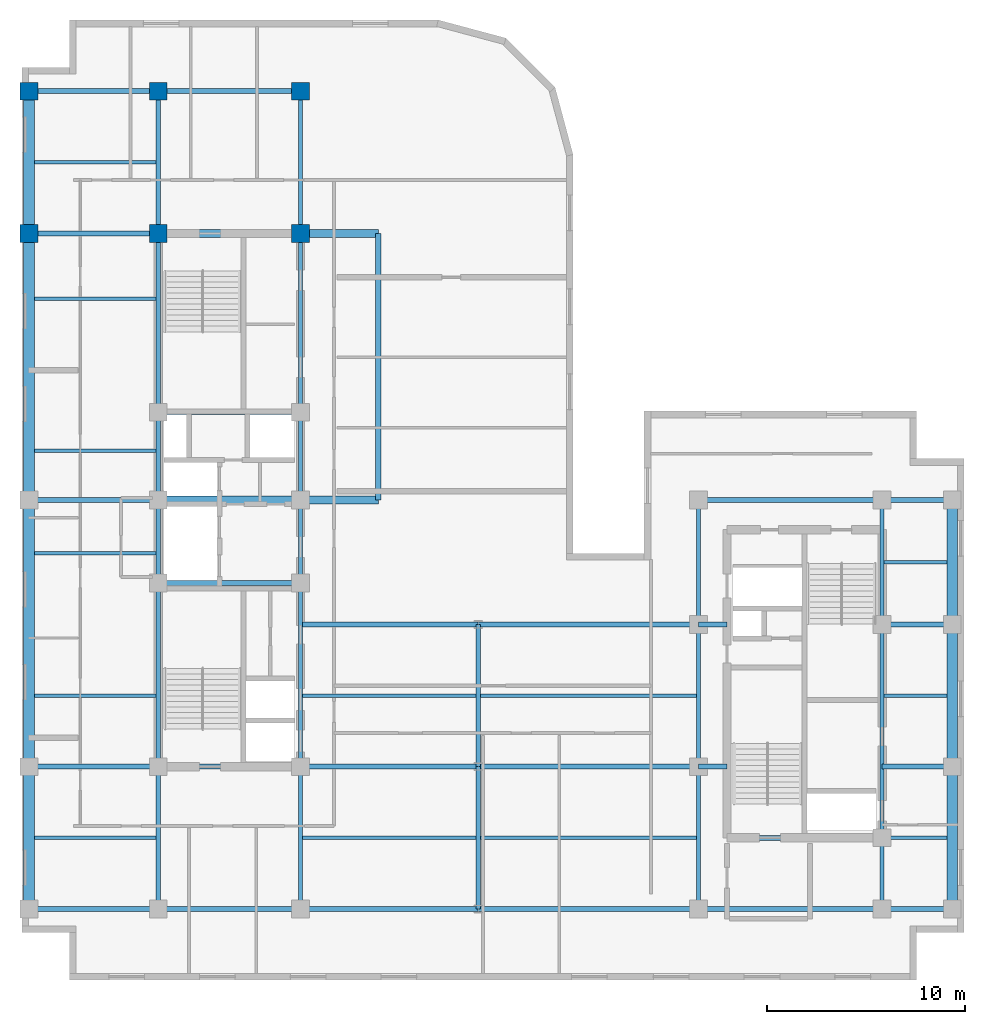
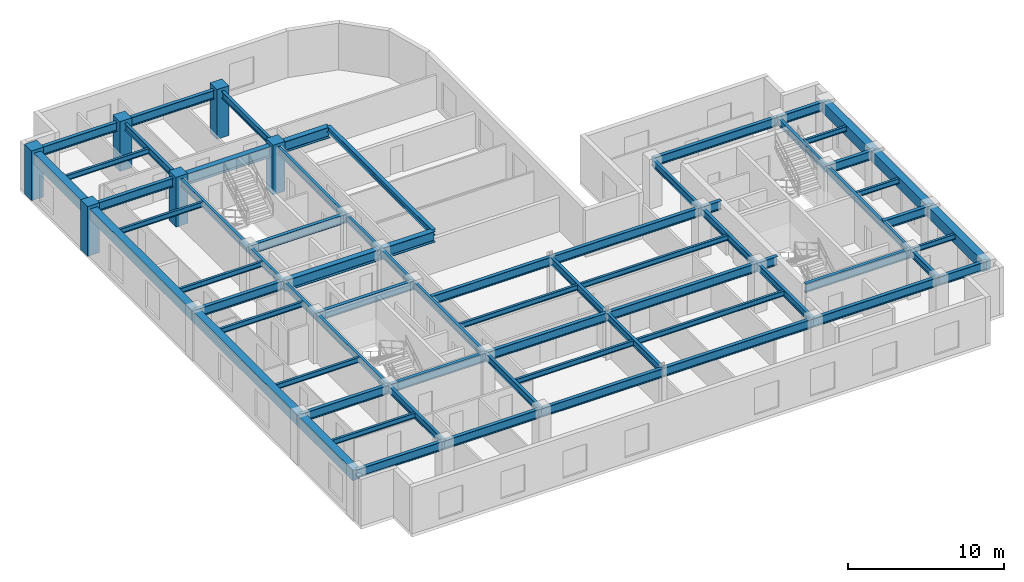
# One storey, part 2 of 10: 68 beams, 6 columns.
"""IFC4 building model written with IfcOpenShell, lengths in metres."""

from ifc_helpers import new_model, entity, si_unit, converted_unit, direction, frame, origin_with_axes, origin_2d_with_axis, place, context, subcontext, project, spatial, rectangle, i_section, extrude, material, material_profile, profile_set, type_object, element, save


model = new_model("IFC4")

# Units and contexts
model_context = context("Model", 3, precision=1e-05, world=origin_with_axes(), true_north=direction((0.0, 1.0)))
body_context = subcontext(model_context, "Body", "Model", "MODEL_VIEW")
ifc_project = project(units=[si_unit("LENGTHUNIT", "METRE"), si_unit("AREAUNIT", "SQUARE_METRE"), si_unit("VOLUMEUNIT", "CUBIC_METRE"), converted_unit("PLANEANGLEUNIT", "DEGREE", entity("IfcPlaneAngleMeasure", 0.017453292519943295), si_unit("PLANEANGLEUNIT", "RADIAN"), dimensions=[0, 0, 0, 0, 0, 0, 0]), si_unit("MASSUNIT", "GRAM", prefix="KILO"), si_unit("THERMODYNAMICTEMPERATUREUNIT", "KELVIN")], contexts=[model_context])

# Site, building, storey
site_placement = place(None, origin_with_axes())
site = spatial("IfcSite", under=ifc_project, at=site_placement, CompositionType="ELEMENT")
building_placement = place(site_placement, origin_with_axes())
building = spatial("IfcBuilding", under=site, at=building_placement, Name="Varnlund Millrace Tower", CompositionType="ELEMENT")
storey_placement = place(building_placement, frame((0.0, 0.0, 236.4), z_axis=(0.0, 0.0, 1.0), x_axis=(1.0, 0.0, 0.0)))
storey = spatial("IfcBuildingStorey", under=building, at=storey_placement, Name="L58", CompositionType="ELEMENT", Elevation=236.4)

# Columns
ifc_material_1 = material(Name="Concrete C70/85", Category="concrete")
ifc_material_profile_1 = material_profile(ifc_material_1, rectangle(XDim=0.9, YDim=0.9, at=origin_2d_with_axis()), Name="Concrete C70/85")
ifc_profile_set_1 = profile_set([ifc_material_profile_1], Name="Concrete C70/85")
column_type = type_object("IfcColumnType", Name="Type-Col-RC900-C70", PredefinedType="COLUMN", material=ifc_profile_set_1)
for number, where, z_axis, x_axis, name in (
    (1, (11.4, 37.8, 0.0), (0.0, 0.0, 1.0), (1.0, 0.0, 0.0), "Type-Col-RC900-C70"),
    (2, (11.4, 45.0, 0.0), (0.0, 0.0, 1.0), (1.0, 0.0, 0.0), "Type-Col-RC900-C70"),
    (3, (18.6, 37.8, 0.0), (0.0, 0.0, 1.0), (1.0, 0.0, 0.0), "Type-Col-RC900-C70"),
    (4, (18.6, 45.0, 0.0), (0.0, 0.0, 1.0), (1.0, 0.0, 0.0), "Type-Col-RC900-C70"),
    (5, (4.85, 37.8, 0.0), (0.0, 0.0, 1.0), (1.0, 0.0, 0.0), "Type-Col-RC900-C70"),
    (6, (4.85, 45.0, 0.0), (0.0, 0.0, 1.0), (1.0, 0.0, 0.0), "Type-Col-RC900-C70"),
):
    element("IfcColumn", number, at=place(storey_placement, frame(where, z_axis=z_axis, x_axis=x_axis)), inside=storey, type_object=column_type, Name=name, PredefinedType="COLUMN", context=body_context, shape_type="SweptSolid", body=[
        extrude(rectangle(XDim=0.9, YDim=0.9, at=origin_2d_with_axis()), origin_with_axes(), (0.0, 0.0, 1.0), 3.9),
    ])

# Beams
ifc_material_2 = material(Name="Steel ASTM A992 Grade 50", Category="steel")
ifc_material_profile_2 = material_profile(ifc_material_2, i_section(OverallWidth=0.28, OverallDepth=0.463, WebThickness=0.0108, FlangeThickness=0.0173, FilletRadius=0.015, at=origin_2d_with_axis()), Name="Steel ASTM A992 Grade 50")
ifc_profile_set_2 = profile_set([ifc_material_profile_2], Name="Steel ASTM A992 Grade 50")
beam_type_1 = type_object("IfcBeamType", Name="Type-Beam-W18X76", PredefinedType="BEAM", material=ifc_profile_set_2)
beam_1_placement = place(storey_placement, frame((22.55, 24.3, 3.4285), z_axis=(0.0, 1.0, 0.0), x_axis=(-1.0, 0.0, 0.0)))
element("IfcBeam", 7, at=beam_1_placement, inside=storey, type_object=beam_type_1, Name="Type-Beam-W18X76", PredefinedType="BEAM", context=body_context, shape_type="SweptSolid", body=[
    extrude(i_section(OverallWidth=0.28, OverallDepth=0.463, WebThickness=0.0108, FlangeThickness=0.0173, FilletRadius=0.015, at=origin_2d_with_axis()), origin_with_axes(), (0.0, 0.0, 1.0), 13.5),
])
ifc_material_profile_3 = material_profile(ifc_material_2, i_section(OverallWidth=0.214, OverallDepth=0.549, WebThickness=0.0147, FlangeThickness=0.0236, FilletRadius=0.015, at=origin_2d_with_axis()), Name="Steel ASTM A992 Grade 50")
ifc_profile_set_3 = profile_set([ifc_material_profile_3], Name="Steel ASTM A992 Grade 50")
beam_type_2 = type_object("IfcBeamType", Name="Type-Beam-W21X93", PredefinedType="BEAM", material=ifc_profile_set_3)
beam_2_placement = place(storey_placement, frame((11.4, 3.6, 3.3855), z_axis=(0.0, 1.0, 0.0), x_axis=(-1.0, 0.0, 0.0)))
element("IfcBeam", 8, at=beam_2_placement, inside=storey, type_object=beam_type_2, Name="Type-Beam-W21X93", PredefinedType="BEAM", context=body_context, shape_type="SweptSolid", body=[
    extrude(i_section(OverallWidth=0.214, OverallDepth=0.549, WebThickness=0.0147, FlangeThickness=0.0236, FilletRadius=0.015, at=origin_2d_with_axis()), origin_with_axes(), (0.0, 0.0, 1.0), 7.2),
])
beam_3_placement = place(storey_placement, frame((11.4, 10.8, 3.3855), z_axis=(0.0, 1.0, 0.0), x_axis=(-1.0, 0.0, 0.0)))
element("IfcBeam", 9, at=beam_3_placement, inside=storey, type_object=beam_type_2, Name="Type-Beam-W21X93", PredefinedType="BEAM", context=body_context, shape_type="SweptSolid", body=[
    extrude(i_section(OverallWidth=0.214, OverallDepth=0.549, WebThickness=0.0147, FlangeThickness=0.0236, FilletRadius=0.015, at=origin_2d_with_axis()), origin_with_axes(), (0.0, 0.0, 1.0), 9.3),
])
beam_4_placement = place(storey_placement, frame((11.4, 20.1, 3.3855), z_axis=(0.0, 1.0, 0.0), x_axis=(-1.0, 0.0, 0.0)))
element("IfcBeam", 10, at=beam_4_placement, inside=storey, type_object=beam_type_2, Name="Type-Beam-W21X93", PredefinedType="BEAM", context=body_context, shape_type="SweptSolid", body=[
    extrude(i_section(OverallWidth=0.214, OverallDepth=0.549, WebThickness=0.0147, FlangeThickness=0.0236, FilletRadius=0.015, at=origin_2d_with_axis()), origin_with_axes(), (0.0, 0.0, 1.0), 4.2),
])
beam_5_placement = place(storey_placement, frame((11.4, 24.3, 3.3855), z_axis=(0.0, 1.0, 0.0), x_axis=(-1.0, 0.0, 0.0)))
element("IfcBeam", 11, at=beam_5_placement, inside=storey, type_object=beam_type_2, Name="Type-Beam-W21X93", PredefinedType="BEAM", context=body_context, shape_type="SweptSolid", body=[
    extrude(i_section(OverallWidth=0.214, OverallDepth=0.549, WebThickness=0.0147, FlangeThickness=0.0236, FilletRadius=0.015, at=origin_2d_with_axis()), origin_with_axes(), (0.0, 0.0, 1.0), 4.45),
])
beam_6_placement = place(storey_placement, frame((11.4, 28.75, 3.3855), z_axis=(0.0, 1.0, 0.0), x_axis=(-1.0, 0.0, 0.0)))
element("IfcBeam", 12, at=beam_6_placement, inside=storey, type_object=beam_type_2, Name="Type-Beam-W21X93", PredefinedType="BEAM", context=body_context, shape_type="SweptSolid", body=[
    extrude(i_section(OverallWidth=0.214, OverallDepth=0.549, WebThickness=0.0147, FlangeThickness=0.0236, FilletRadius=0.015, at=origin_2d_with_axis()), origin_with_axes(), (0.0, 0.0, 1.0), 9.05),
])
for number, where, z_axis, x_axis, name in (
    (13, (11.4, 37.8, 3.3855), (0.0, 1.0, 0.0), (-1.0, 0.0, 0.0), "Type-Beam-W21X93"),
    (14, (18.6, 3.6, 3.3855), (0.0, 1.0, 0.0), (-1.0, 0.0, 0.0), "Type-Beam-W21X93"),
):
    element("IfcBeam", number, at=place(storey_placement, frame(where, z_axis=z_axis, x_axis=x_axis)), inside=storey, type_object=beam_type_2, Name=name, PredefinedType="BEAM", context=body_context, shape_type="SweptSolid", body=[
        extrude(i_section(OverallWidth=0.214, OverallDepth=0.549, WebThickness=0.0147, FlangeThickness=0.0236, FilletRadius=0.015, at=origin_2d_with_axis()), origin_with_axes(), (0.0, 0.0, 1.0), 7.2),
    ])
beam_7_placement = place(storey_placement, frame((18.6, 10.8, 3.3855), z_axis=(0.0, 1.0, 0.0), x_axis=(-1.0, 0.0, 0.0)))
element("IfcBeam", 15, at=beam_7_placement, inside=storey, type_object=beam_type_2, Name="Type-Beam-W21X93", PredefinedType="BEAM", context=body_context, shape_type="SweptSolid", body=[
    extrude(i_section(OverallWidth=0.214, OverallDepth=0.549, WebThickness=0.0147, FlangeThickness=0.0236, FilletRadius=0.015, at=origin_2d_with_axis()), origin_with_axes(), (0.0, 0.0, 1.0), 9.3),
])
beam_8_placement = place(storey_placement, frame((18.6, 20.1, 3.3855), z_axis=(0.0, 1.0, 0.0), x_axis=(-1.0, 0.0, 0.0)))
element("IfcBeam", 16, at=beam_8_placement, inside=storey, type_object=beam_type_2, Name="Type-Beam-W21X93", PredefinedType="BEAM", context=body_context, shape_type="SweptSolid", body=[
    extrude(i_section(OverallWidth=0.214, OverallDepth=0.549, WebThickness=0.0147, FlangeThickness=0.0236, FilletRadius=0.015, at=origin_2d_with_axis()), origin_with_axes(), (0.0, 0.0, 1.0), 4.2),
])
beam_9_placement = place(storey_placement, frame((18.6, 24.3, 3.3855), z_axis=(0.0, 1.0, 0.0), x_axis=(-1.0, 0.0, 0.0)))
element("IfcBeam", 17, at=beam_9_placement, inside=storey, type_object=beam_type_2, Name="Type-Beam-W21X93", PredefinedType="BEAM", context=body_context, shape_type="SweptSolid", body=[
    extrude(i_section(OverallWidth=0.214, OverallDepth=0.549, WebThickness=0.0147, FlangeThickness=0.0236, FilletRadius=0.015, at=origin_2d_with_axis()), origin_with_axes(), (0.0, 0.0, 1.0), 4.45),
])
beam_10_placement = place(storey_placement, frame((18.6, 28.75, 3.3855), z_axis=(0.0, 1.0, 0.0), x_axis=(-1.0, 0.0, 0.0)))
element("IfcBeam", 18, at=beam_10_placement, inside=storey, type_object=beam_type_2, Name="Type-Beam-W21X93", PredefinedType="BEAM", context=body_context, shape_type="SweptSolid", body=[
    extrude(i_section(OverallWidth=0.214, OverallDepth=0.549, WebThickness=0.0147, FlangeThickness=0.0236, FilletRadius=0.015, at=origin_2d_with_axis()), origin_with_axes(), (0.0, 0.0, 1.0), 9.05),
])
for number, where, z_axis, x_axis, name in (
    (19, (18.6, 37.8, 3.3855), (0.0, 1.0, 0.0), (-1.0, 0.0, 0.0), "Type-Beam-W21X93"),
    (20, (27.6, 3.6, 3.3855), (0.0, 1.0, 0.0), (-1.0, 0.0, 0.0), "Type-Beam-W21X93"),
    (21, (27.6, 10.8, 3.3855), (0.0, 1.0, 0.0), (-1.0, 0.0, 0.0), "Type-Beam-W21X93"),
    (22, (38.75, 3.6, 3.3855), (0.0, 1.0, 0.0), (-1.0, 0.0, 0.0), "Type-Beam-W21X93"),
    (23, (38.75, 10.8, 3.3855), (0.0, 1.0, 0.0), (-1.0, 0.0, 0.0), "Type-Beam-W21X93"),
):
    element("IfcBeam", number, at=place(storey_placement, frame(where, z_axis=z_axis, x_axis=x_axis)), inside=storey, type_object=beam_type_2, Name=name, PredefinedType="BEAM", context=body_context, shape_type="SweptSolid", body=[
        extrude(i_section(OverallWidth=0.214, OverallDepth=0.549, WebThickness=0.0147, FlangeThickness=0.0236, FilletRadius=0.015, at=origin_2d_with_axis()), origin_with_axes(), (0.0, 0.0, 1.0), 7.2),
    ])
beam_11_placement = place(storey_placement, frame((38.75, 18.0, 3.3855), z_axis=(0.0, 1.0, 0.0), x_axis=(-1.0, 0.0, 0.0)))
element("IfcBeam", 24, at=beam_11_placement, inside=storey, type_object=beam_type_2, Name="Type-Beam-W21X93", PredefinedType="BEAM", context=body_context, shape_type="SweptSolid", body=[
    extrude(i_section(OverallWidth=0.214, OverallDepth=0.549, WebThickness=0.0147, FlangeThickness=0.0236, FilletRadius=0.015, at=origin_2d_with_axis()), origin_with_axes(), (0.0, 0.0, 1.0), 6.3),
])
beam_12_placement = place(storey_placement, frame((48.05, 3.6, 3.3855), z_axis=(0.0, 1.0, 0.0), x_axis=(-1.0, 0.0, 0.0)))
element("IfcBeam", 25, at=beam_12_placement, inside=storey, type_object=beam_type_2, Name="Type-Beam-W21X93", PredefinedType="BEAM", context=body_context, shape_type="SweptSolid", body=[
    extrude(i_section(OverallWidth=0.214, OverallDepth=0.549, WebThickness=0.0147, FlangeThickness=0.0236, FilletRadius=0.015, at=origin_2d_with_axis()), origin_with_axes(), (0.0, 0.0, 1.0), 3.6),
])
beam_13_placement = place(storey_placement, frame((48.05, 7.2, 3.3855), z_axis=(0.0, 1.0, 0.0), x_axis=(-1.0, 0.0, 0.0)))
element("IfcBeam", 26, at=beam_13_placement, inside=storey, type_object=beam_type_2, Name="Type-Beam-W21X93", PredefinedType="BEAM", context=body_context, shape_type="SweptSolid", body=[
    extrude(i_section(OverallWidth=0.214, OverallDepth=0.549, WebThickness=0.0147, FlangeThickness=0.0236, FilletRadius=0.015, at=origin_2d_with_axis()), origin_with_axes(), (0.0, 0.0, 1.0), 10.8),
])
beam_14_placement = place(storey_placement, frame((48.05, 18.0, 3.3855), z_axis=(0.0, 1.0, 0.0), x_axis=(-1.0, 0.0, 0.0)))
element("IfcBeam", 27, at=beam_14_placement, inside=storey, type_object=beam_type_2, Name="Type-Beam-W21X93", PredefinedType="BEAM", context=body_context, shape_type="SweptSolid", body=[
    extrude(i_section(OverallWidth=0.214, OverallDepth=0.549, WebThickness=0.0147, FlangeThickness=0.0236, FilletRadius=0.015, at=origin_2d_with_axis()), origin_with_axes(), (0.0, 0.0, 1.0), 6.3),
])
ifc_material_profile_4 = material_profile(ifc_material_2, i_section(OverallWidth=0.256, OverallDepth=0.693, WebThickness=0.0145, FlangeThickness=0.0236, FilletRadius=0.018, at=origin_2d_with_axis()), Name="Steel ASTM A992 Grade 50")
ifc_profile_set_4 = profile_set([ifc_material_profile_4], Name="Steel ASTM A992 Grade 50")
beam_type_3 = type_object("IfcBeamType", Name="Type-Girder-W27X114", PredefinedType="USERDEFINED", material=ifc_profile_set_4)
beam_15_placement = place(storey_placement, frame((4.85, 3.6, 3.3135), z_axis=(1.0, 0.0, 0.0), x_axis=(0.0, 1.0, 0.0)))
element("IfcBeam", 28, at=beam_15_placement, inside=storey, type_object=beam_type_3, Name="Type-Girder-W27X114", ObjectType="GIRDER", PredefinedType="USERDEFINED", context=body_context, shape_type="SweptSolid", body=[
    extrude(i_section(OverallWidth=0.256, OverallDepth=0.693, WebThickness=0.0145, FlangeThickness=0.0236, FilletRadius=0.018, at=origin_2d_with_axis()), origin_with_axes(), (0.0, 0.0, 1.0), 6.55),
])
beam_16_placement = place(storey_placement, frame((11.4, 3.6, 3.3135), z_axis=(1.0, 0.0, 0.0), x_axis=(0.0, 1.0, 0.0)))
element("IfcBeam", 29, at=beam_16_placement, inside=storey, type_object=beam_type_3, Name="Type-Girder-W27X114", ObjectType="GIRDER", PredefinedType="USERDEFINED", context=body_context, shape_type="SweptSolid", body=[
    extrude(i_section(OverallWidth=0.256, OverallDepth=0.693, WebThickness=0.0145, FlangeThickness=0.0236, FilletRadius=0.018, at=origin_2d_with_axis()), origin_with_axes(), (0.0, 0.0, 1.0), 7.2),
])
beam_17_placement = place(storey_placement, frame((18.6, 3.6, 3.3135), z_axis=(1.0, 0.0, 0.0), x_axis=(0.0, 1.0, 0.0)))
element("IfcBeam", 30, at=beam_17_placement, inside=storey, type_object=beam_type_3, Name="Type-Girder-W27X114", ObjectType="GIRDER", PredefinedType="USERDEFINED", context=body_context, shape_type="SweptSolid", body=[
    extrude(i_section(OverallWidth=0.256, OverallDepth=0.693, WebThickness=0.0145, FlangeThickness=0.0236, FilletRadius=0.018, at=origin_2d_with_axis()), origin_with_axes(), (0.0, 0.0, 1.0), 9.0),
])
beam_18_placement = place(storey_placement, frame((27.6, 3.6, 3.3135), z_axis=(1.0, 0.0, 0.0), x_axis=(0.0, 1.0, 0.0)))
element("IfcBeam", 31, at=beam_18_placement, inside=storey, type_object=beam_type_3, Name="Type-Girder-W27X114", ObjectType="GIRDER", PredefinedType="USERDEFINED", context=body_context, shape_type="SweptSolid", body=[
    extrude(i_section(OverallWidth=0.256, OverallDepth=0.693, WebThickness=0.0145, FlangeThickness=0.0236, FilletRadius=0.018, at=origin_2d_with_axis()), origin_with_axes(), (0.0, 0.0, 1.0), 11.15),
])
beam_19_placement = place(storey_placement, frame((38.75, 3.6, 3.3135), z_axis=(1.0, 0.0, 0.0), x_axis=(0.0, 1.0, 0.0)))
element("IfcBeam", 32, at=beam_19_placement, inside=storey, type_object=beam_type_3, Name="Type-Girder-W27X114", ObjectType="GIRDER", PredefinedType="USERDEFINED", context=body_context, shape_type="SweptSolid", body=[
    extrude(i_section(OverallWidth=0.256, OverallDepth=0.693, WebThickness=0.0145, FlangeThickness=0.0236, FilletRadius=0.018, at=origin_2d_with_axis()), origin_with_axes(), (0.0, 0.0, 1.0), 9.3),
])
beam_20_placement = place(storey_placement, frame((48.05, 3.6, 3.3135), z_axis=(1.0, 0.0, 0.0), x_axis=(0.0, 1.0, 0.0)))
element("IfcBeam", 33, at=beam_20_placement, inside=storey, type_object=beam_type_3, Name="Type-Girder-W27X114", ObjectType="GIRDER", PredefinedType="USERDEFINED", context=body_context, shape_type="SweptSolid", body=[
    extrude(i_section(OverallWidth=0.256, OverallDepth=0.693, WebThickness=0.0145, FlangeThickness=0.0236, FilletRadius=0.018, at=origin_2d_with_axis()), origin_with_axes(), (0.0, 0.0, 1.0), 3.55),
])
beam_21_placement = place(storey_placement, frame((40.2, 7.2, 3.3135), z_axis=(1.0, 0.0, 0.0), x_axis=(0.0, 1.0, 0.0)))
element("IfcBeam", 34, at=beam_21_placement, inside=storey, type_object=beam_type_3, Name="Type-Girder-W27X114", ObjectType="GIRDER", PredefinedType="USERDEFINED", context=body_context, shape_type="SweptSolid", body=[
    extrude(i_section(OverallWidth=0.256, OverallDepth=0.693, WebThickness=0.0145, FlangeThickness=0.0236, FilletRadius=0.018, at=origin_2d_with_axis()), origin_with_axes(), (0.0, 0.0, 1.0), 7.85),
])
beam_22_placement = place(storey_placement, frame((4.85, 10.8, 3.3135), z_axis=(1.0, 0.0, 0.0), x_axis=(0.0, 1.0, 0.0)))
element("IfcBeam", 35, at=beam_22_placement, inside=storey, type_object=beam_type_3, Name="Type-Girder-W27X114", ObjectType="GIRDER", PredefinedType="USERDEFINED", context=body_context, shape_type="SweptSolid", body=[
    extrude(i_section(OverallWidth=0.256, OverallDepth=0.693, WebThickness=0.0145, FlangeThickness=0.0236, FilletRadius=0.018, at=origin_2d_with_axis()), origin_with_axes(), (0.0, 0.0, 1.0), 6.55),
])
beam_23_placement = place(storey_placement, frame((11.4, 10.8, 3.3135), z_axis=(1.0, 0.0, 0.0), x_axis=(0.0, 1.0, 0.0)))
element("IfcBeam", 36, at=beam_23_placement, inside=storey, type_object=beam_type_3, Name="Type-Girder-W27X114", ObjectType="GIRDER", PredefinedType="USERDEFINED", context=body_context, shape_type="SweptSolid", body=[
    extrude(i_section(OverallWidth=0.256, OverallDepth=0.693, WebThickness=0.0145, FlangeThickness=0.0236, FilletRadius=0.018, at=origin_2d_with_axis()), origin_with_axes(), (0.0, 0.0, 1.0), 7.2),
])
beam_24_placement = place(storey_placement, frame((18.6, 10.8, 3.3135), z_axis=(1.0, 0.0, 0.0), x_axis=(0.0, 1.0, 0.0)))
element("IfcBeam", 37, at=beam_24_placement, inside=storey, type_object=beam_type_3, Name="Type-Girder-W27X114", ObjectType="GIRDER", PredefinedType="USERDEFINED", context=body_context, shape_type="SweptSolid", body=[
    extrude(i_section(OverallWidth=0.256, OverallDepth=0.693, WebThickness=0.0145, FlangeThickness=0.0236, FilletRadius=0.018, at=origin_2d_with_axis()), origin_with_axes(), (0.0, 0.0, 1.0), 9.0),
])
beam_25_placement = place(storey_placement, frame((27.6, 10.8, 3.3135), z_axis=(1.0, 0.0, 0.0), x_axis=(0.0, 1.0, 0.0)))
element("IfcBeam", 38, at=beam_25_placement, inside=storey, type_object=beam_type_3, Name="Type-Girder-W27X114", ObjectType="GIRDER", PredefinedType="USERDEFINED", context=body_context, shape_type="SweptSolid", body=[
    extrude(i_section(OverallWidth=0.256, OverallDepth=0.693, WebThickness=0.0145, FlangeThickness=0.0236, FilletRadius=0.018, at=origin_2d_with_axis()), origin_with_axes(), (0.0, 0.0, 1.0), 11.15),
])
beam_26_placement = place(storey_placement, frame((38.75, 10.8, 3.3135), z_axis=(1.0, 0.0, 0.0), x_axis=(0.0, 1.0, 0.0)))
element("IfcBeam", 39, at=beam_26_placement, inside=storey, type_object=beam_type_3, Name="Type-Girder-W27X114", ObjectType="GIRDER", PredefinedType="USERDEFINED", context=body_context, shape_type="SweptSolid", body=[
    extrude(i_section(OverallWidth=0.256, OverallDepth=0.693, WebThickness=0.0145, FlangeThickness=0.0236, FilletRadius=0.018, at=origin_2d_with_axis()), origin_with_axes(), (0.0, 0.0, 1.0), 1.45),
])
beam_27_placement = place(storey_placement, frame((48.05, 10.8, 3.3135), z_axis=(1.0, 0.0, 0.0), x_axis=(0.0, 1.0, 0.0)))
element("IfcBeam", 40, at=beam_27_placement, inside=storey, type_object=beam_type_3, Name="Type-Girder-W27X114", ObjectType="GIRDER", PredefinedType="USERDEFINED", context=body_context, shape_type="SweptSolid", body=[
    extrude(i_section(OverallWidth=0.256, OverallDepth=0.693, WebThickness=0.0145, FlangeThickness=0.0236, FilletRadius=0.018, at=origin_2d_with_axis()), origin_with_axes(), (0.0, 0.0, 1.0), 3.55),
])
beam_28_placement = place(storey_placement, frame((18.6, 18.0, 3.3135), z_axis=(1.0, 0.0, 0.0), x_axis=(0.0, 1.0, 0.0)))
element("IfcBeam", 41, at=beam_28_placement, inside=storey, type_object=beam_type_3, Name="Type-Girder-W27X114", ObjectType="GIRDER", PredefinedType="USERDEFINED", context=body_context, shape_type="SweptSolid", body=[
    extrude(i_section(OverallWidth=0.256, OverallDepth=0.693, WebThickness=0.0145, FlangeThickness=0.0236, FilletRadius=0.018, at=origin_2d_with_axis()), origin_with_axes(), (0.0, 0.0, 1.0), 9.0),
])
beam_29_placement = place(storey_placement, frame((27.6, 18.0, 3.3135), z_axis=(1.0, 0.0, 0.0), x_axis=(0.0, 1.0, 0.0)))
element("IfcBeam", 42, at=beam_29_placement, inside=storey, type_object=beam_type_3, Name="Type-Girder-W27X114", ObjectType="GIRDER", PredefinedType="USERDEFINED", context=body_context, shape_type="SweptSolid", body=[
    extrude(i_section(OverallWidth=0.256, OverallDepth=0.693, WebThickness=0.0145, FlangeThickness=0.0236, FilletRadius=0.018, at=origin_2d_with_axis()), origin_with_axes(), (0.0, 0.0, 1.0), 11.15),
])
beam_30_placement = place(storey_placement, frame((38.75, 18.0, 3.3135), z_axis=(1.0, 0.0, 0.0), x_axis=(0.0, 1.0, 0.0)))
element("IfcBeam", 43, at=beam_30_placement, inside=storey, type_object=beam_type_3, Name="Type-Girder-W27X114", ObjectType="GIRDER", PredefinedType="USERDEFINED", context=body_context, shape_type="SweptSolid", body=[
    extrude(i_section(OverallWidth=0.256, OverallDepth=0.693, WebThickness=0.0145, FlangeThickness=0.0236, FilletRadius=0.018, at=origin_2d_with_axis()), origin_with_axes(), (0.0, 0.0, 1.0), 1.45),
])
beam_31_placement = place(storey_placement, frame((48.05, 18.0, 3.3135), z_axis=(1.0, 0.0, 0.0), x_axis=(0.0, 1.0, 0.0)))
element("IfcBeam", 44, at=beam_31_placement, inside=storey, type_object=beam_type_3, Name="Type-Girder-W27X114", ObjectType="GIRDER", PredefinedType="USERDEFINED", context=body_context, shape_type="SweptSolid", body=[
    extrude(i_section(OverallWidth=0.256, OverallDepth=0.693, WebThickness=0.0145, FlangeThickness=0.0236, FilletRadius=0.018, at=origin_2d_with_axis()), origin_with_axes(), (0.0, 0.0, 1.0), 3.55),
])
beam_32_placement = place(storey_placement, frame((11.4, 20.1, 3.3135), z_axis=(1.0, 0.0, 0.0), x_axis=(0.0, 1.0, 0.0)))
element("IfcBeam", 45, at=beam_32_placement, inside=storey, type_object=beam_type_3, Name="Type-Girder-W27X114", ObjectType="GIRDER", PredefinedType="USERDEFINED", context=body_context, shape_type="SweptSolid", body=[
    extrude(i_section(OverallWidth=0.256, OverallDepth=0.693, WebThickness=0.0145, FlangeThickness=0.0236, FilletRadius=0.018, at=origin_2d_with_axis()), origin_with_axes(), (0.0, 0.0, 1.0), 7.2),
])
beam_33_placement = place(storey_placement, frame((4.85, 24.3, 3.3135), z_axis=(1.0, 0.0, 0.0), x_axis=(0.0, 1.0, 0.0)))
element("IfcBeam", 46, at=beam_33_placement, inside=storey, type_object=beam_type_3, Name="Type-Girder-W27X114", ObjectType="GIRDER", PredefinedType="USERDEFINED", context=body_context, shape_type="SweptSolid", body=[
    extrude(i_section(OverallWidth=0.256, OverallDepth=0.693, WebThickness=0.0145, FlangeThickness=0.0236, FilletRadius=0.018, at=origin_2d_with_axis()), origin_with_axes(), (0.0, 0.0, 1.0), 6.55),
])
beam_34_placement = place(storey_placement, frame((38.75, 24.3, 3.3135), z_axis=(1.0, 0.0, 0.0), x_axis=(0.0, 1.0, 0.0)))
element("IfcBeam", 47, at=beam_34_placement, inside=storey, type_object=beam_type_3, Name="Type-Girder-W27X114", ObjectType="GIRDER", PredefinedType="USERDEFINED", context=body_context, shape_type="SweptSolid", body=[
    extrude(i_section(OverallWidth=0.256, OverallDepth=0.693, WebThickness=0.0145, FlangeThickness=0.0236, FilletRadius=0.018, at=origin_2d_with_axis()), origin_with_axes(), (0.0, 0.0, 1.0), 9.3),
])
beam_35_placement = place(storey_placement, frame((48.05, 24.3, 3.3135), z_axis=(1.0, 0.0, 0.0), x_axis=(0.0, 1.0, 0.0)))
element("IfcBeam", 48, at=beam_35_placement, inside=storey, type_object=beam_type_3, Name="Type-Girder-W27X114", ObjectType="GIRDER", PredefinedType="USERDEFINED", context=body_context, shape_type="SweptSolid", body=[
    extrude(i_section(OverallWidth=0.256, OverallDepth=0.693, WebThickness=0.0145, FlangeThickness=0.0236, FilletRadius=0.018, at=origin_2d_with_axis()), origin_with_axes(), (0.0, 0.0, 1.0), 3.55),
])
beam_36_placement = place(storey_placement, frame((11.4, 28.75, 3.3135), z_axis=(1.0, 0.0, 0.0), x_axis=(0.0, 1.0, 0.0)))
element("IfcBeam", 49, at=beam_36_placement, inside=storey, type_object=beam_type_3, Name="Type-Girder-W27X114", ObjectType="GIRDER", PredefinedType="USERDEFINED", context=body_context, shape_type="SweptSolid", body=[
    extrude(i_section(OverallWidth=0.256, OverallDepth=0.693, WebThickness=0.0145, FlangeThickness=0.0236, FilletRadius=0.018, at=origin_2d_with_axis()), origin_with_axes(), (0.0, 0.0, 1.0), 7.2),
])
for number, where, z_axis, x_axis, name in (
    (50, (4.85, 37.8, 3.3135), (1.0, 0.0, 0.0), (0.0, 1.0, 0.0), "Type-Girder-W27X114"),
    (51, (4.85, 45.0, 3.3135), (1.0, 0.0, 0.0), (0.0, 1.0, 0.0), "Type-Girder-W27X114"),
):
    element("IfcBeam", number, at=place(storey_placement, frame(where, z_axis=z_axis, x_axis=x_axis)), inside=storey, type_object=beam_type_3, Name=name, ObjectType="GIRDER", PredefinedType="USERDEFINED", context=body_context, shape_type="SweptSolid", body=[
        extrude(i_section(OverallWidth=0.256, OverallDepth=0.693, WebThickness=0.0145, FlangeThickness=0.0236, FilletRadius=0.018, at=origin_2d_with_axis()), origin_with_axes(), (0.0, 0.0, 1.0), 6.55),
    ])
beam_37_placement = place(storey_placement, frame((11.4, 45.0, 3.3135), z_axis=(1.0, 0.0, 0.0), x_axis=(0.0, 1.0, 0.0)))
element("IfcBeam", 52, at=beam_37_placement, inside=storey, type_object=beam_type_3, Name="Type-Girder-W27X114", ObjectType="GIRDER", PredefinedType="USERDEFINED", context=body_context, shape_type="SweptSolid", body=[
    extrude(i_section(OverallWidth=0.256, OverallDepth=0.693, WebThickness=0.0145, FlangeThickness=0.0236, FilletRadius=0.018, at=origin_2d_with_axis()), origin_with_axes(), (0.0, 0.0, 1.0), 7.2),
])
ifc_material_profile_5 = material_profile(ifc_material_2, i_section(OverallWidth=0.399, OverallDepth=0.855, WebThickness=0.0182, FlangeThickness=0.0292, FilletRadius=0.022, at=origin_2d_with_axis()), Name="Steel ASTM A992 Grade 50")
ifc_profile_set_5 = profile_set([ifc_material_profile_5], Name="Steel ASTM A992 Grade 50")
beam_type_4 = type_object("IfcBeamType", Name="Type-Girder-W33X201", PredefinedType="USERDEFINED", material=ifc_profile_set_5)
for number, where, z_axis, x_axis, name in (
    (53, (11.4, 24.3, 3.2325), (1.0, 0.0, 0.0), (0.0, 1.0, 0.0), "Type-Girder-W33X201"),
    (54, (11.4, 37.8, 3.2325), (1.0, 0.0, 0.0), (0.0, 1.0, 0.0), "Type-Girder-W33X201"),
):
    element("IfcBeam", number, at=place(storey_placement, frame(where, z_axis=z_axis, x_axis=x_axis)), inside=storey, type_object=beam_type_4, Name=name, ObjectType="GIRDER", PredefinedType="USERDEFINED", context=body_context, shape_type="SweptSolid", body=[
        extrude(i_section(OverallWidth=0.399, OverallDepth=0.855, WebThickness=0.0182, FlangeThickness=0.0292, FilletRadius=0.022, at=origin_2d_with_axis()), origin_with_axes(), (0.0, 0.0, 1.0), 11.15),
    ])
ifc_material_profile_6 = material_profile(ifc_material_2, i_section(OverallWidth=0.178, OverallDepth=0.403, WebThickness=0.0075, FlangeThickness=0.0109, FilletRadius=0.011, at=origin_2d_with_axis()), Name="Steel ASTM A992 Grade 50")
ifc_profile_set_6 = profile_set([ifc_material_profile_6], Name="Steel ASTM A992 Grade 50")
beam_type_5 = type_object("IfcBeamType", Name="Type-Joist-W16X36", PredefinedType="JOIST", material=ifc_profile_set_6)
for number, where, z_axis, x_axis, name in (
    (55, (5.125, 7.2, 3.4585), (1.0, 0.0, 0.0), (0.0, 1.0, 0.0), "Type-Joist-W16X36"),
    (56, (5.125, 14.4, 3.4585), (1.0, 0.0, 0.0), (0.0, 1.0, 0.0), "Type-Joist-W16X36"),
    (57, (5.125, 21.6, 3.4585), (1.0, 0.0, 0.0), (0.0, 1.0, 0.0), "Type-Joist-W16X36"),
    (58, (5.125, 26.8, 3.4585), (1.0, 0.0, 0.0), (0.0, 1.0, 0.0), "Type-Joist-W16X36"),
    (59, (5.125, 34.5, 3.4585), (1.0, 0.0, 0.0), (0.0, 1.0, 0.0), "Type-Joist-W16X36"),
    (60, (5.125, 41.4, 3.4585), (1.0, 0.0, 0.0), (0.0, 1.0, 0.0), "Type-Joist-W16X36"),
):
    element("IfcBeam", number, at=place(storey_placement, frame(where, z_axis=z_axis, x_axis=x_axis)), inside=storey, type_object=beam_type_5, Name=name, PredefinedType="JOIST", context=body_context, shape_type="SweptSolid", body=[
        extrude(i_section(OverallWidth=0.178, OverallDepth=0.403, WebThickness=0.0075, FlangeThickness=0.0109, FilletRadius=0.011, at=origin_2d_with_axis()), origin_with_axes(), (0.0, 0.0, 1.0), 6.168),
    ])
for number, where, z_axis, x_axis, name in (
    (61, (48.157, 7.2, 3.4585), (1.0, 0.0, 0.0), (0.0, 1.0, 0.0), "Type-Joist-W16X36"),
    (62, (48.157, 14.4, 3.4585), (1.0, 0.0, 0.0), (0.0, 1.0, 0.0), "Type-Joist-W16X36"),
    (63, (48.157, 21.15, 3.4585), (1.0, 0.0, 0.0), (0.0, 1.0, 0.0), "Type-Joist-W16X36"),
):
    element("IfcBeam", number, at=place(storey_placement, frame(where, z_axis=z_axis, x_axis=x_axis)), inside=storey, type_object=beam_type_5, Name=name, PredefinedType="JOIST", context=body_context, shape_type="SweptSolid", body=[
        extrude(i_section(OverallWidth=0.178, OverallDepth=0.403, WebThickness=0.0075, FlangeThickness=0.0109, FilletRadius=0.011, at=origin_2d_with_axis()), origin_with_axes(), (0.0, 0.0, 1.0), 3.168),
    ])
for number, where, z_axis, x_axis, name in (
    (64, (18.707, 7.2, 3.4585), (1.0, 0.0, 0.0), (0.0, 1.0, 0.0), "Type-Joist-W16X36"),
    (65, (18.707, 14.4, 3.4585), (1.0, 0.0, 0.0), (0.0, 1.0, 0.0), "Type-Joist-W16X36"),
):
    element("IfcBeam", number, at=place(storey_placement, frame(where, z_axis=z_axis, x_axis=x_axis)), inside=storey, type_object=beam_type_5, Name=name, PredefinedType="JOIST", context=body_context, shape_type="SweptSolid", body=[
        extrude(i_section(OverallWidth=0.178, OverallDepth=0.403, WebThickness=0.0075, FlangeThickness=0.0109, FilletRadius=0.011, at=origin_2d_with_axis()), origin_with_axes(), (0.0, 0.0, 1.0), 8.786),
    ])
for number, where, z_axis, x_axis, name in (
    (66, (27.707, 7.2, 3.4585), (1.0, 0.0, 0.0), (0.0, 1.0, 0.0), "Type-Joist-W16X36"),
    (67, (27.707, 14.4, 3.4585), (1.0, 0.0, 0.0), (0.0, 1.0, 0.0), "Type-Joist-W16X36"),
):
    element("IfcBeam", number, at=place(storey_placement, frame(where, z_axis=z_axis, x_axis=x_axis)), inside=storey, type_object=beam_type_5, Name=name, PredefinedType="JOIST", context=body_context, shape_type="SweptSolid", body=[
        extrude(i_section(OverallWidth=0.178, OverallDepth=0.403, WebThickness=0.0075, FlangeThickness=0.0109, FilletRadius=0.011, at=origin_2d_with_axis()), origin_with_axes(), (0.0, 0.0, 1.0), 10.936),
    ])
ifc_material_3 = material(Name="Concrete C60/75", Category="concrete")
ifc_material_profile_7 = material_profile(ifc_material_3, rectangle(XDim=0.55, YDim=0.85, at=origin_2d_with_axis()), Name="Concrete C60/75")
ifc_profile_set_7 = profile_set([ifc_material_profile_7], Name="Concrete C60/75")
beam_type_6 = type_object("IfcBeamType", Name="Type-Spandrel-RC550X850", PredefinedType="SPANDREL", material=ifc_profile_set_7)
beam_38_placement = place(storey_placement, frame((4.85, 3.6, 3.235), z_axis=(0.0, 1.0, 0.0), x_axis=(-1.0, 0.0, 0.0)))
element("IfcBeam", 68, at=beam_38_placement, inside=storey, type_object=beam_type_6, Name="Type-Spandrel-RC550X850", PredefinedType="SPANDREL", context=body_context, shape_type="SweptSolid", body=[
    extrude(rectangle(XDim=0.55, YDim=0.85, at=origin_2d_with_axis()), origin_with_axes(), (0.0, 0.0, 1.0), 7.2),
])
for number, where, z_axis, x_axis, name in (
    (69, (4.85, 10.8, 3.235), (0.0, 1.0, 0.0), (-1.0, 0.0, 0.0), "Type-Spandrel-RC550X850"),
    (70, (4.85, 24.3, 3.235), (0.0, 1.0, 0.0), (-1.0, 0.0, 0.0), "Type-Spandrel-RC550X850"),
):
    element("IfcBeam", number, at=place(storey_placement, frame(where, z_axis=z_axis, x_axis=x_axis)), inside=storey, type_object=beam_type_6, Name=name, PredefinedType="SPANDREL", context=body_context, shape_type="SweptSolid", body=[
        extrude(rectangle(XDim=0.55, YDim=0.85, at=origin_2d_with_axis()), origin_with_axes(), (0.0, 0.0, 1.0), 13.5),
    ])
for number, where, z_axis, x_axis, name in (
    (71, (4.85, 37.8, 3.235), (0.0, 1.0, 0.0), (-1.0, 0.0, 0.0), "Type-Spandrel-RC550X850"),
    (72, (51.6, 3.6, 3.235), (0.0, 1.0, 0.0), (-1.0, 0.0, 0.0), "Type-Spandrel-RC550X850"),
    (73, (51.6, 10.8, 3.235), (0.0, 1.0, 0.0), (-1.0, 0.0, 0.0), "Type-Spandrel-RC550X850"),
):
    element("IfcBeam", number, at=place(storey_placement, frame(where, z_axis=z_axis, x_axis=x_axis)), inside=storey, type_object=beam_type_6, Name=name, PredefinedType="SPANDREL", context=body_context, shape_type="SweptSolid", body=[
        extrude(rectangle(XDim=0.55, YDim=0.85, at=origin_2d_with_axis()), origin_with_axes(), (0.0, 0.0, 1.0), 7.2),
    ])
beam_39_placement = place(storey_placement, frame((51.6, 18.0, 3.235), z_axis=(0.0, 1.0, 0.0), x_axis=(-1.0, 0.0, 0.0)))
element("IfcBeam", 74, at=beam_39_placement, inside=storey, type_object=beam_type_6, Name="Type-Spandrel-RC550X850", PredefinedType="SPANDREL", context=body_context, shape_type="SweptSolid", body=[
    extrude(rectangle(XDim=0.55, YDim=0.85, at=origin_2d_with_axis()), origin_with_axes(), (0.0, 0.0, 1.0), 6.3),
])

save(model, "model.ifc")
